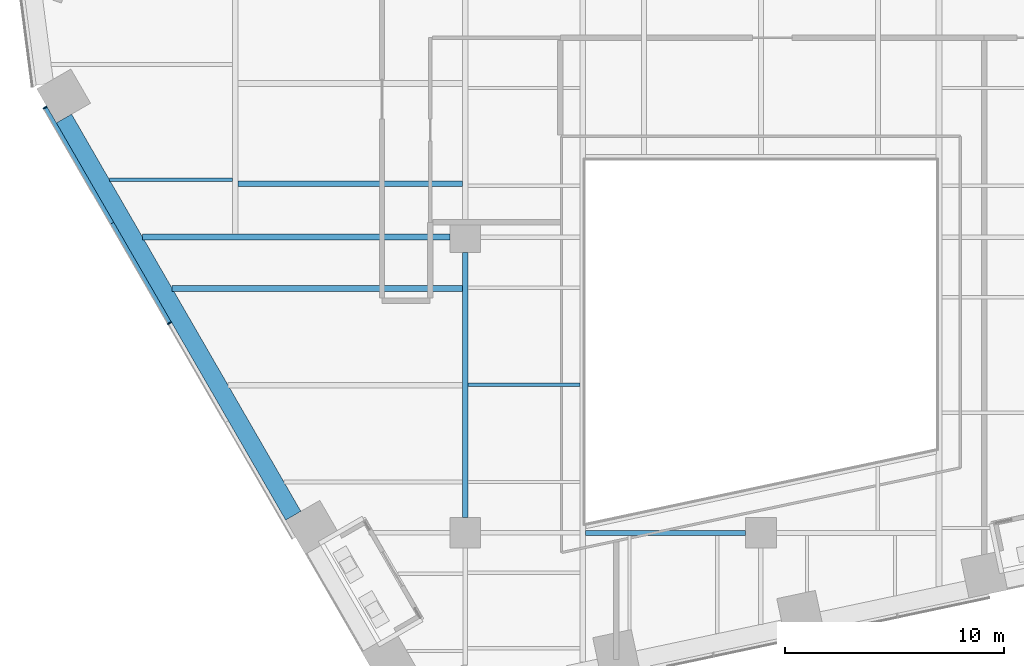
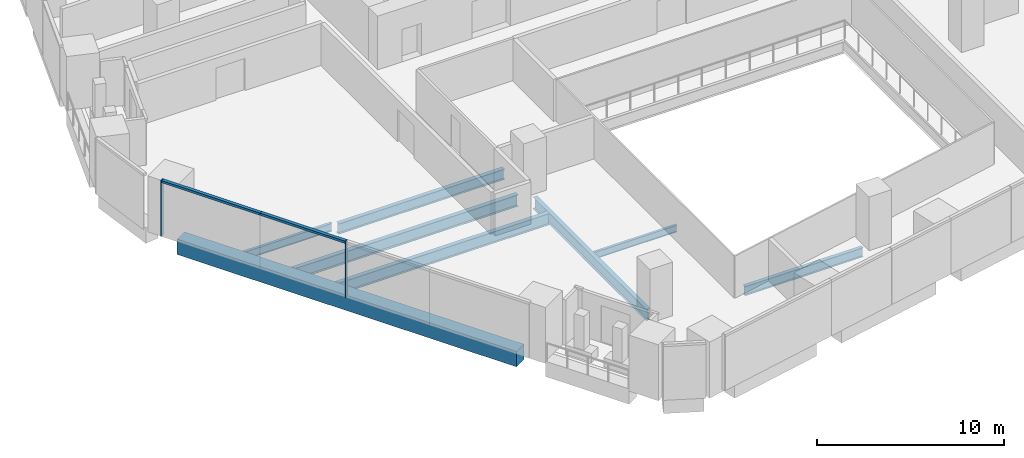
# One storey, part 3 of 31: 8 beams, 4 members, 1 element without a shape of its own.
"""IFC4 building model written with IfcOpenShell, lengths in metres."""

from ifc_helpers import new_model, si_unit, direction, frame, origin, origin_2d, place, context, subcontext, project, spatial, rectangle, i_section, extrude, material, layer, layer_set, material_profile, profile_set, type_object, element, aggregate, save


model = new_model("IFC4")

# Units and contexts
model_context = context("Model", 3, precision=1e-05, world=origin(), true_north=direction((0.0, 1.0)))
body_context = subcontext(model_context, "Body", "Model", "MODEL_VIEW")
ifc_project = project(units=[si_unit("LENGTHUNIT", "METRE"), si_unit("AREAUNIT", "SQUARE_METRE"), si_unit("VOLUMEUNIT", "CUBIC_METRE"), si_unit("PLANEANGLEUNIT", "RADIAN"), si_unit("MASSUNIT", "GRAM", prefix="KILO")], contexts=[model_context])

# Site, building, storey
site_placement = place(None, origin())
site = spatial("IfcSite", under=ifc_project, at=site_placement, CompositionType="ELEMENT")
building_placement = place(site_placement, origin())
building = spatial("IfcBuilding", under=site, at=building_placement, Name="Isthmus Gate Tower", CompositionType="ELEMENT")
storey_placement = place(building_placement, frame((0.0, 0.0, 54.25)))
storey = spatial("IfcBuildingStorey", under=building, at=storey_placement, Name="L11", CompositionType="ELEMENT", Elevation=54.25)

# Curtain wall, members
ifc_material_1 = material(Name="Aluminium, pale champagne anodised", Category="aluminium")
ifc_layer = layer(ifc_material_1, 0.199951171875)
ifc_layer_set = layer_set([ifc_layer], Name="CW-1 UNITISED CURTAIN WALL 200 DEEP")
curtain_wall_type = type_object("IfcCurtainWallType", Name="CW-1 UNITISED CURTAIN WALL 200 DEEP", PredefinedType="NOTDEFINED", material=ifc_layer_set)
curtain_wall_placement = place(storey_placement, origin())
curtain_wall = element("IfcCurtainWall", 1, at=curtain_wall_placement, inside=storey, type_object=curtain_wall_type, Name="CW-1 SW L11", PredefinedType="NOTDEFINED")
ifc_material_2 = material(Name="Aluminium, pale champagne anodised", Category="aluminium")
ifc_material_profile_1 = material_profile(ifc_material_2, rectangle(XDim=0.06005859375, YDim=0.199951171875, at=origin_2d()), Name="60x200")
ifc_profile_set_1 = profile_set([ifc_material_profile_1], Name="Aluminium, pale champagne anodised")
member_type_1 = type_object("IfcMemberType", Name="CW-1 MULLION 60 X 200", PredefinedType="MULLION", material=ifc_profile_set_1)
member_1_placement = place(storey_placement, frame((-32.685302734375, -7.58740234375, 0.0), z_axis=(0.0, 0.0, 1.0), x_axis=(0.5, -0.866025403784, 0.0)))
member_1 = element("IfcMember", 2, at=member_1_placement, type_object=member_type_1, Name="CW-1 mullion", PredefinedType="MULLION", context=body_context, shape_type="SweptSolid", body=[
    extrude(rectangle(XDim=0.06005859375, YDim=0.199951171875, at=origin_2d()), origin(), (0.0, 0.0, 1.0), 3.64990234375),
])
member_2_placement = place(storey_placement, frame((-27.001708984375, -17.431640625, 0.0), z_axis=(0.0, 0.0, 1.0), x_axis=(0.5, -0.866025403784, 0.0)))
member_2 = element("IfcMember", 3, at=member_2_placement, type_object=member_type_1, Name="CW-1 mullion", PredefinedType="MULLION", context=body_context, shape_type="SweptSolid", body=[
    extrude(rectangle(XDim=0.06005859375, YDim=0.199951171875, at=origin_2d()), origin(), (0.0, 0.0, 1.0), 3.64990234375),
])
ifc_material_3 = material(Name="Aluminium, pale champagne anodised", Category="aluminium")
ifc_material_profile_2 = material_profile(ifc_material_3, rectangle(XDim=0.199951171875, YDim=0.14990234375, at=origin_2d()), Name="200x150")
ifc_profile_set_2 = profile_set([ifc_material_profile_2], Name="Aluminium, pale champagne anodised")
member_type_2 = type_object("IfcMemberType", Name="CW-1 TRANSOM 200 X 150", PredefinedType="USERDEFINED", material=ifc_profile_set_2)
member_3_placement = place(storey_placement, frame((-32.67041015625, -7.61328125, 3.574951171875), z_axis=(0.49999965181, -0.866025604812, 0.0), x_axis=(0.866025604812, 0.49999965181, 0.0)))
member_3 = element("IfcMember", 4, at=member_3_placement, type_object=member_type_2, Name="CW-1 transom", ObjectType="TRANSOM", PredefinedType="USERDEFINED", context=body_context, shape_type="SweptSolid", body=[
    extrude(rectangle(XDim=0.199951171875, YDim=0.14990234375, at=origin_2d()), origin(), (0.0, 0.0, 1.0), 6.07373046875),
])
member_4_placement = place(storey_placement, frame((-29.633544921875, -12.873291015625, 3.574951171875), z_axis=(0.500017221754, -0.866015460572, 0.0), x_axis=(0.866015460572, 0.500017221754, 0.0)))
member_4 = element("IfcMember", 5, at=member_4_placement, type_object=member_type_2, Name="CW-1 transom", ObjectType="TRANSOM", PredefinedType="USERDEFINED", context=body_context, shape_type="SweptSolid", body=[
    extrude(rectangle(XDim=0.199951171875, YDim=0.14990234375, at=origin_2d()), origin(), (0.0, 0.0, 1.0), 5.233642578125),
])
aggregate(curtain_wall, [member_1, member_3, member_4, member_2])

# Beams
ifc_material_4 = material(Name="Concrete f'c 70 MPa", Category="concrete")
ifc_material_profile_3 = material_profile(ifc_material_4, rectangle(XDim=0.800048828125, YDim=1.0, at=origin_2d()), Name="RC 800X1000")
ifc_profile_set_3 = profile_set([ifc_material_profile_3], Name="Concrete f'c 70 MPa")
beam_type_1 = type_object("IfcBeamType", Name="RC SPANDREL 800 X 1000", PredefinedType="SPANDREL", material=ifc_profile_set_3)
beam_1_placement = place(storey_placement, frame((-21.35009765625, -26.220458984375, -0.5), z_axis=(-0.500004778811, 0.866022644719, 0.0), x_axis=(-0.866022644719, -0.500004778811, 0.0)))
element("IfcBeam", 6, at=beam_1_placement, inside=storey, type_object=beam_type_1, Name="str-spandrel-L11-16", PredefinedType="SPANDREL", context=body_context, shape_type="SweptSolid", body=[
    extrude(rectangle(XDim=0.800048828125, YDim=1.0, at=origin_2d()), origin(), (0.0, 0.0, 1.0), 20.934326171875),
])
ifc_material_5 = material(Name="Structural steel ASTM A992 Gr 50", Category="steel")
ifc_material_profile_4 = material_profile(ifc_material_5, i_section(OverallWidth=0.15234375, OverallDepth=0.45068359375, WebThickness=0.0078125, FlangeThickness=0.010986328125, at=origin_2d()), Name="W18X35")
ifc_profile_set_4 = profile_set([ifc_material_profile_4], Name="Structural steel ASTM A992 Gr 50")
beam_type_2 = type_object("IfcBeamType", Name="STEEL FLOOR BEAM W18X35", PredefinedType="JOIST", material=ifc_profile_set_4)
beam_2_placement = place(storey_placement, frame((-13.3681640625, -20.25, -0.37548828125), z_axis=(1.0, 0.0, 0.0), x_axis=(0.0, 1.0, 0.0)))
element("IfcBeam", 7, at=beam_2_placement, inside=storey, type_object=beam_type_2, Name="str-beam-L11-14-01", PredefinedType="JOIST", context=body_context, shape_type="SweptSolid", body=[
    extrude(i_section(OverallWidth=0.15234375, OverallDepth=0.45068359375, WebThickness=0.0078125, FlangeThickness=0.010986328125, at=origin_2d()), origin(), (0.0, 0.0, 1.0), 5.1015625),
])
ifc_material_6 = material(Name="Structural steel ASTM A992 Gr 50", Category="steel")
ifc_material_profile_5 = material_profile(ifc_material_6, i_section(OverallWidth=0.1650390625, OverallDepth=0.52392578125, WebThickness=0.009521484375, FlangeThickness=0.010986328125, at=origin_2d()), Name="W21X44")
ifc_profile_set_5 = profile_set([ifc_material_profile_5], Name="Structural steel ASTM A992 Gr 50")
beam_type_3 = type_object("IfcBeamType", Name="STEEL FLOOR BEAM W21X44", PredefinedType="JOIST", material=ifc_profile_set_5)
beam_3_placement = place(storey_placement, frame((-29.748046875, -10.875, -0.411865234375), z_axis=(1.0, 0.0, 0.0), x_axis=(0.0, 1.0, 0.0)))
element("IfcBeam", 8, at=beam_3_placement, inside=storey, type_object=beam_type_3, Name="str-beam-L11-01-00", PredefinedType="JOIST", context=body_context, shape_type="SweptSolid", body=[
    extrude(i_section(OverallWidth=0.1650390625, OverallDepth=0.52392578125, WebThickness=0.009521484375, FlangeThickness=0.010986328125, at=origin_2d()), origin(), (0.0, 0.0, 1.0), 5.61474609375),
])
ifc_material_7 = material(Name="Structural steel ASTM A992 Gr 50", Category="steel")
ifc_material_profile_6 = material_profile(ifc_material_7, i_section(OverallWidth=0.25390625, OverallDepth=0.679443359375, WebThickness=0.010986328125, FlangeThickness=0.015869140625, at=origin_2d()), Name="W27X84")
ifc_profile_set_6 = profile_set([ifc_material_profile_6], Name="Structural steel ASTM A992 Gr 50")
beam_type_4 = type_object("IfcBeamType", Name="STEEL FLOOR BEAM W27X84", PredefinedType="JOIST", material=ifc_profile_set_6)
beam_4_placement = place(storey_placement, frame((-23.86669921875, -11.07470703125, -0.48974609375), z_axis=(1.0, 0.0, 0.0), x_axis=(0.0, 1.0, 0.0)))
element("IfcBeam", 9, at=beam_4_placement, inside=storey, type_object=beam_type_4, Name="str-beam-L11-08-00", PredefinedType="JOIST", context=body_context, shape_type="SweptSolid", body=[
    extrude(i_section(OverallWidth=0.25390625, OverallDepth=0.679443359375, WebThickness=0.010986328125, FlangeThickness=0.015869140625, at=origin_2d()), origin(), (0.0, 0.0, 1.0), 10.23486328125),
])
ifc_material_8 = material(Name="Structural steel ASTM A992 Gr 50", Category="steel")
ifc_material_profile_7 = material_profile(ifc_material_8, i_section(OverallWidth=0.263427734375, OverallDepth=0.749267578125, WebThickness=0.0126953125, FlangeThickness=0.015869140625, at=origin_2d()), Name="W30X90")
ifc_profile_set_7 = profile_set([ifc_material_profile_7], Name="Structural steel ASTM A992 Gr 50")
beam_type_5 = type_object("IfcBeamType", Name="STEEL FLOOR BEAM W30X90", PredefinedType="JOIST", material=ifc_profile_set_7)
beam_5_placement = place(storey_placement, frame((-26.879150390625, -15.84423828125, -0.524658203125), z_axis=(1.0, 0.0, 0.0), x_axis=(0.0, 1.0, 0.0)))
element("IfcBeam", 10, at=beam_5_placement, inside=storey, type_object=beam_type_5, Name="str-beam-L11-05-02", PredefinedType="JOIST", context=body_context, shape_type="SweptSolid", body=[
    extrude(i_section(OverallWidth=0.263427734375, OverallDepth=0.749267578125, WebThickness=0.0126953125, FlangeThickness=0.015869140625, at=origin_2d()), origin(), (0.0, 0.0, 1.0), 13.247314453125),
])
ifc_material_9 = material(Name="Structural steel ASTM A992 Gr 50", Category="steel")
ifc_material_profile_8 = material_profile(ifc_material_9, i_section(OverallWidth=0.228515625, OverallDepth=0.603271484375, WebThickness=0.010986328125, FlangeThickness=0.014404296875, at=origin_2d()), Name="W24X68")
ifc_profile_set_8 = profile_set([ifc_material_profile_8], Name="Structural steel ASTM A992 Gr 50")
beam_type_6 = type_object("IfcBeamType", Name="STEEL GIRDER W24X68", PredefinedType="BEAM", material=ifc_profile_set_8)
beam_6_placement = place(storey_placement, frame((-8.0, -27.0, -0.45166015625), z_axis=(1.0, 0.0, 0.0), x_axis=(0.0, 1.0, 0.0)))
element("IfcBeam", 11, at=beam_6_placement, inside=storey, type_object=beam_type_6, Name="str-girder-L11-03", PredefinedType="BEAM", context=body_context, shape_type="SweptSolid", body=[
    extrude(i_section(OverallWidth=0.228515625, OverallDepth=0.603271484375, WebThickness=0.010986328125, FlangeThickness=0.014404296875, at=origin_2d()), origin(), (0.0, 0.0, 1.0), 7.300048828125),
])
ifc_material_10 = material(Name="Structural steel ASTM A992 Gr 50", Category="steel")
ifc_material_profile_9 = material_profile(ifc_material_10, i_section(OverallWidth=0.2666015625, OverallDepth=0.7587890625, WebThickness=0.014404296875, FlangeThickness=0.01904296875, at=origin_2d()), Name="W30X108")
ifc_profile_set_9 = profile_set([ifc_material_profile_9], Name="Structural steel ASTM A992 Gr 50")
beam_type_7 = type_object("IfcBeamType", Name="STEEL GIRDER W30X108", PredefinedType="BEAM", material=ifc_profile_set_9)
beam_7_placement = place(storey_placement, frame((-28.232421875, -13.5, -0.529296875), z_axis=(1.0, 0.0, 0.0), x_axis=(0.0, 1.0, 0.0)))
element("IfcBeam", 12, at=beam_7_placement, inside=storey, type_object=beam_type_7, Name="str-girder-L11-05", PredefinedType="BEAM", context=body_context, shape_type="SweptSolid", body=[
    extrude(i_section(OverallWidth=0.2666015625, OverallDepth=0.7587890625, WebThickness=0.014404296875, FlangeThickness=0.01904296875, at=origin_2d()), origin(), (0.0, 0.0, 1.0), 14.032470703125),
])
ifc_material_11 = material(Name="Structural steel ASTM A992 Gr 50", Category="steel")
ifc_material_profile_10 = material_profile(ifc_material_11, i_section(OverallWidth=0.263427734375, OverallDepth=0.749267578125, WebThickness=0.0126953125, FlangeThickness=0.015869140625, at=origin_2d()), Name="W30X90")
ifc_profile_set_10 = profile_set([ifc_material_profile_10], Name="Structural steel ASTM A992 Gr 50")
beam_type_8 = type_object("IfcBeamType", Name="STEEL GIRDER W30X90", PredefinedType="BEAM", material=ifc_profile_set_10)
beam_8_placement = place(storey_placement, frame((-13.5, -26.300048828125, -0.524658203125), z_axis=(0.0, 1.0, 0.0), x_axis=(-1.0, 0.0, 0.0)))
element("IfcBeam", 13, at=beam_8_placement, inside=storey, type_object=beam_type_8, Name="str-girder-L11-24", PredefinedType="BEAM", context=body_context, shape_type="SweptSolid", body=[
    extrude(i_section(OverallWidth=0.263427734375, OverallDepth=0.749267578125, WebThickness=0.0126953125, FlangeThickness=0.015869140625, at=origin_2d()), origin(), (0.0, 0.0, 1.0), 12.10009765625),
])

save(model, "model.ifc")
